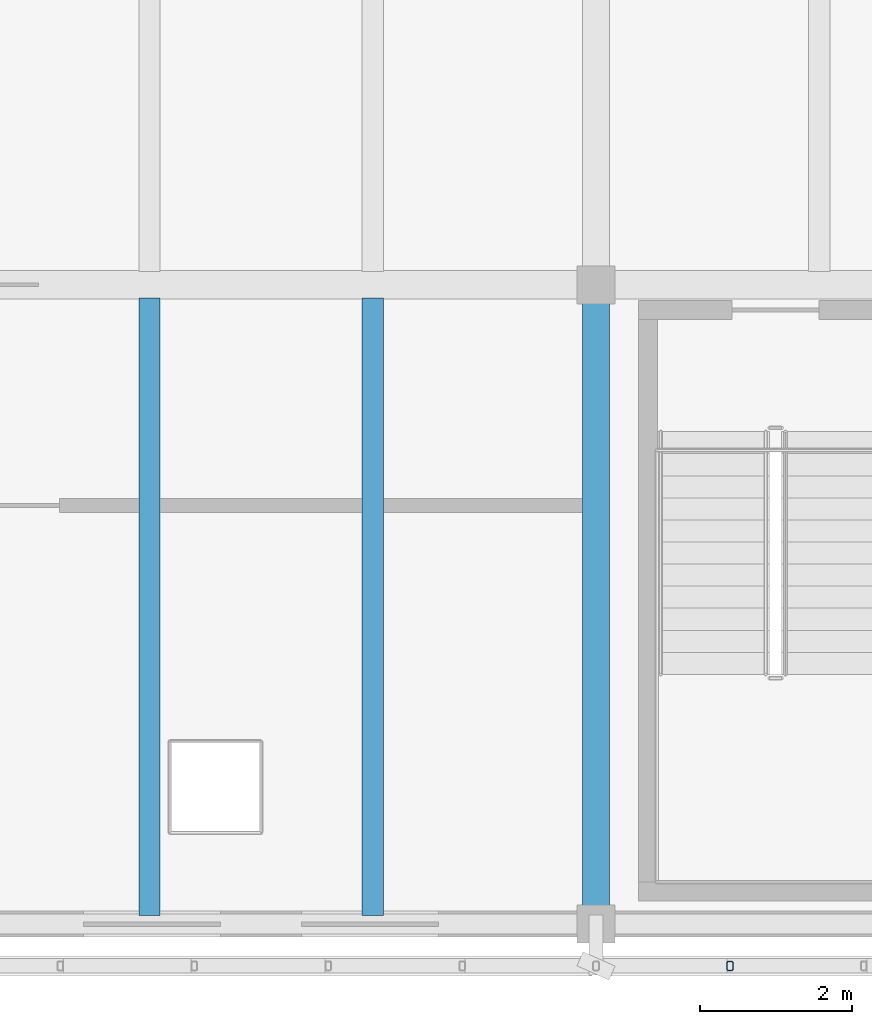
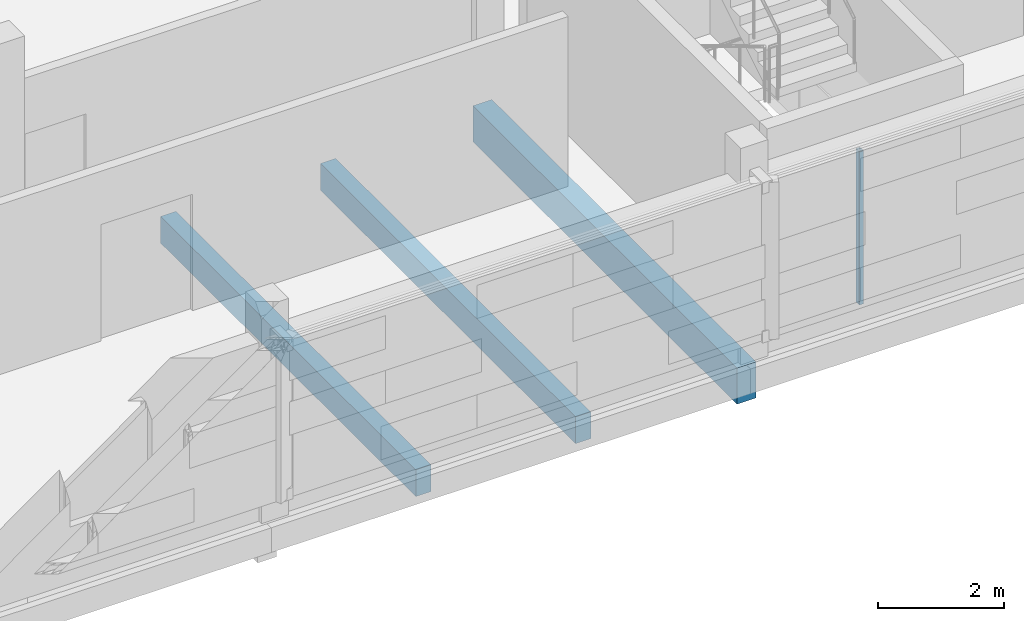
# One storey, part 27 of 137: 3 beams, 1 member.
"""IFC4 building model written with IfcOpenShell, lengths in metres."""

from ifc_helpers import new_model, si_unit, direction, frame, origin, origin_2d, place, context, subcontext, project, spatial, rectangle, hollow_rectangle, extrude, material, material_profile, profile_set, type_object, element, save


model = new_model("IFC4")

# Units and contexts
model_context = context("Model", 3, precision=1e-05, world=origin(), true_north=direction((0.0, 1.0)))
body_context = subcontext(model_context, "Body", "Model", "MODEL_VIEW")
ifc_project = project(units=[si_unit("LENGTHUNIT", "METRE"), si_unit("AREAUNIT", "SQUARE_METRE"), si_unit("VOLUMEUNIT", "CUBIC_METRE"), si_unit("PLANEANGLEUNIT", "RADIAN"), si_unit("MASSUNIT", "GRAM", prefix="KILO")], contexts=[model_context])

# Site, building, storey
site_placement = place(None, origin())
site = spatial("IfcSite", under=ifc_project, at=site_placement, CompositionType="ELEMENT")
building_placement = place(site_placement, origin())
building = spatial("IfcBuilding", under=site, at=building_placement, Name="Cinderway Yard Community Centre", CompositionType="ELEMENT")
storey_placement = place(building_placement, frame((0.0, 0.0, 4.800048828125)))
storey = spatial("IfcBuildingStorey", under=building, at=storey_placement, Name="L01", CompositionType="ELEMENT", Elevation=4.800048828125)

# Member
ifc_material_1 = material(Name="Steel S355", Category="steel")
ifc_material_profile_1 = material_profile(ifc_material_1, hollow_rectangle(XDim=0.080078125, YDim=0.1201171875, WallThickness=0.00634765625, InnerFilletRadius=0.00634765625, OuterFilletRadius=0.0126953125, at=origin_2d()), Name="Steel S355")
ifc_profile_set_1 = profile_set([ifc_material_profile_1], Name="Steel S355")
member_type = type_object("IfcMemberType", Name="ENV-MEM-SCREEN-RAIL-120", PredefinedType="STRINGER", material=ifc_profile_set_1)
member_placement = place(storey_placement, frame((103.360107421875, 5.449951171875, 0.68994140625), z_axis=(0.0, 0.0, 1.0), x_axis=(1.0, 0.0, 0.0)))
element("IfcMember", 1, at=member_placement, inside=storey, type_object=member_type, Name="Screen vertical mullion 0587", PredefinedType="STRINGER", context=body_context, shape_type="SweptSolid", body=[
    extrude(hollow_rectangle(XDim=0.080078125, YDim=0.1201171875, WallThickness=0.00634765625, InnerFilletRadius=0.00634765625, OuterFilletRadius=0.0126953125, at=origin_2d()), origin(), (0.0, 0.0, 1.0), 2.969970703125),
])

# Beams
ifc_material_2 = material(Name="Concrete C35/45", Category="concrete")
ifc_material_profile_2 = material_profile(ifc_material_2, rectangle(XDim=0.280029296875, YDim=0.52001953125, at=origin_2d()), Name="Concrete C35/45")
ifc_profile_set_2 = profile_set([ifc_material_profile_2], Name="Concrete C35/45")
beam_type_1 = type_object("IfcBeamType", Name="STR-BM-RC280X520", PredefinedType="JOIST", material=ifc_profile_set_2)
for number, where, z_axis, x_axis, name in (
    (2, (95.73291015625, 6.112060546875, -0.5), (0.0, 1.0, 0.0), (-1.0, 0.0, 0.0), "Secondary joist STR-BM-L01-BJ04-0161"),
    (3, (98.6669921875, 6.112060546875, -0.5), (0.0, 1.0, 0.0), (-1.0, 0.0, 0.0), "Secondary joist STR-BM-L01-BJ04-0162"),
):
    element("IfcBeam", number, at=place(storey_placement, frame(where, z_axis=z_axis, x_axis=x_axis)), inside=storey, type_object=beam_type_1, Name=name, PredefinedType="JOIST", context=body_context, shape_type="SweptSolid", body=[
        extrude(rectangle(XDim=0.280029296875, YDim=0.52001953125, at=origin_2d()), origin(), (0.0, 0.0, 1.0), 8.115966796875),
    ])
ifc_material_profile_3 = material_profile(ifc_material_2, rectangle(XDim=0.35009765625, YDim=0.699951171875, at=origin_2d()), Name="Concrete C35/45")
ifc_profile_set_3 = profile_set([ifc_material_profile_3], Name="Concrete C35/45")
beam_type_2 = type_object("IfcBeamType", Name="STR-BM-RC350X700", PredefinedType="BEAM", material=ifc_profile_set_3)
beam_placement = place(storey_placement, frame((101.60009765625, 6.0, -0.590087890625), z_axis=(0.0, 1.0, 0.0), x_axis=(-1.0, 0.0, 0.0)))
element("IfcBeam", 4, at=beam_placement, inside=storey, type_object=beam_type_2, Name="Transverse girder STR-BM-L01-BG07-0141", PredefinedType="BEAM", context=body_context, shape_type="SweptSolid", body=[
    extrude(rectangle(XDim=0.35009765625, YDim=0.699951171875, at=origin_2d()), origin(), (0.0, 0.0, 1.0), 8.39990234375),
])

save(model, "model.ifc")
